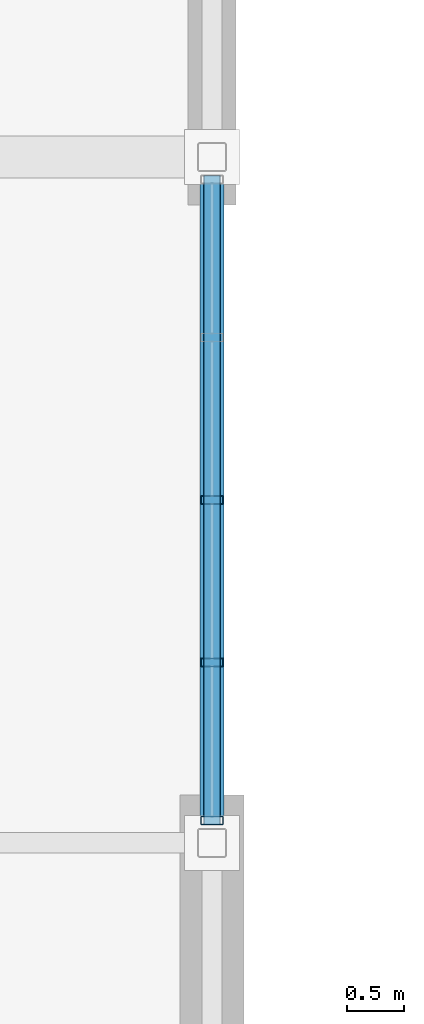
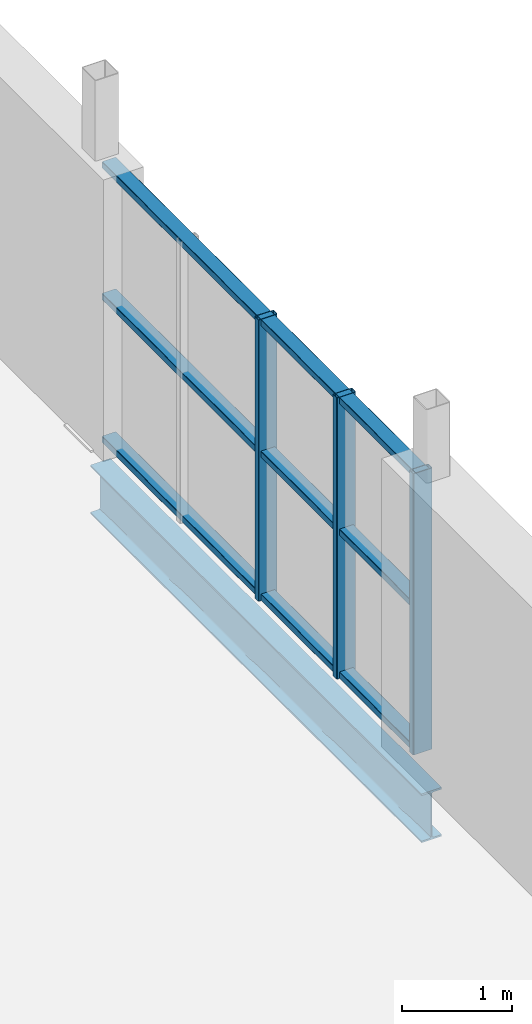
# One storey, part 27 of 96: 6 members, 1 beam, 1 element without a shape of its own.
"""IFC4 building model written with IfcOpenShell, lengths in metres."""

from ifc_helpers import new_model, si_unit, direction, frame, origin, origin_2d, place, context, subcontext, project, spatial, hollow_rectangle, i_section, extrude, material, material_profile, profile_set, type_object, element, aggregate, save


model = new_model("IFC4")

# Units and contexts
model_context = context("Model", 3, precision=1e-05, world=origin(), true_north=direction((0.0, 1.0)))
body_context = subcontext(model_context, "Body", "Model", "MODEL_VIEW")
ifc_project = project(units=[si_unit("LENGTHUNIT", "METRE"), si_unit("AREAUNIT", "SQUARE_METRE"), si_unit("VOLUMEUNIT", "CUBIC_METRE"), si_unit("PLANEANGLEUNIT", "RADIAN"), si_unit("MASSUNIT", "GRAM", prefix="KILO")], contexts=[model_context])

# Site, building, storey
site_placement = place(None, origin())
site = spatial("IfcSite", under=ifc_project, at=site_placement, CompositionType="ELEMENT")
building_placement = place(site_placement, origin())
building = spatial("IfcBuilding", under=site, at=building_placement, Name="Verrall Gate Interchange", CompositionType="ELEMENT")
storey_placement = place(building_placement, frame((0.0, 0.0, 11.39990234375)))
storey = spatial("IfcBuildingStorey", under=building, at=storey_placement, Name="L03", CompositionType="ELEMENT", Elevation=11.39990234375)

# Beam
ifc_material_1 = material(Name="Structural Steel CSA G40.21 350W", Category="steel")
ifc_material_profile_1 = material_profile(ifc_material_1, i_section(OverallWidth=0.2109375, OverallDepth=0.5390625, WebThickness=0.01171875, FlangeThickness=0.018798828125, FilletRadius=0.013916015625, at=origin_2d()), Name="W530x109")
ifc_profile_set_1 = profile_set([ifc_material_profile_1], Name="Structural Steel CSA G40.21 350W")
beam_type = type_object("IfcBeamType", Name="B-10 Structural Beam W530x109", PredefinedType="BEAM", material=ifc_profile_set_1)
beam_placement = place(storey_placement, frame((36.0, 28.0, -0.599365234375), z_axis=(0.0, 1.0, 0.0), x_axis=(-1.0, 0.0, 0.0)))
element("IfcBeam", 1, at=beam_placement, inside=storey, type_object=beam_type, Name="L03 Girder BM-L03-2263 (B-10)", PredefinedType="BEAM", context=body_context, shape_type="SweptSolid", body=[
    extrude(i_section(OverallWidth=0.2109375, OverallDepth=0.5390625, WebThickness=0.01171875, FlangeThickness=0.018798828125, FilletRadius=0.013916015625, at=origin_2d()), origin(), (0.0, 0.0, 1.0), 6.0),
])

# Curtain wall, members
ifc_material_2 = material(Name="Thermally Broken Anodized Aluminium Curtain Wall Framing", Category="aluminium")
curtain_wall_type = type_object("IfcCurtainWallType", Name="CW-31 Unitized Curtain Wall 5682x3110", PredefinedType="NOTDEFINED", material=ifc_material_2)
curtain_wall_placement = place(storey_placement, origin())
curtain_wall = element("IfcCurtainWall", 2, at=curtain_wall_placement, inside=storey, type_object=curtain_wall_type, Name="L03 Unitized Curtain Wall CW-L03-105", PredefinedType="NOTDEFINED")
ifc_material_3 = material(Name="Thermally Broken Anodized Aluminium Curtain Wall Framing", Category="aluminium")
ifc_material_profile_2 = material_profile(ifc_material_3, hollow_rectangle(XDim=0.074951171875, YDim=0.199951171875, WallThickness=0.0048828125, InnerFilletRadius=0.0048828125, OuterFilletRadius=0.010009765625, at=origin_2d()), Name="CWM200x75x5")
ifc_profile_set_2 = profile_set([ifc_material_profile_2], Name="Thermally Broken Anodized Aluminium Curtain Wall Framing")
member_type_1 = type_object("IfcMemberType", Name="CM-02 Curtain Mullion CWM200x75x5", PredefinedType="MULLION", material=ifc_profile_set_2)
member_1_placement = place(storey_placement, frame((36.0, 28.196533203125, 0.0), z_axis=(0.0, 0.0, 1.0), x_axis=(0.0, 1.0, 0.0)))
member_1 = element("IfcMember", 3, at=member_1_placement, type_object=member_type_1, Name="CW-L03-105 Mullion 1", PredefinedType="MULLION", context=body_context, shape_type="SweptSolid", body=[
    extrude(hollow_rectangle(XDim=0.074951171875, YDim=0.199951171875, WallThickness=0.0048828125, InnerFilletRadius=0.0048828125, OuterFilletRadius=0.010009765625, at=origin_2d()), origin(), (0.0, 0.0, 1.0), 3.110107421875),
])
member_2_placement = place(storey_placement, frame((36.0, 29.57958984375, 0.0), z_axis=(0.0, 0.0, 1.0), x_axis=(0.0, 1.0, 0.0)))
member_2 = element("IfcMember", 4, at=member_2_placement, type_object=member_type_1, Name="CW-L03-105 Mullion 2", PredefinedType="MULLION", context=body_context, shape_type="SweptSolid", body=[
    extrude(hollow_rectangle(XDim=0.074951171875, YDim=0.199951171875, WallThickness=0.0048828125, InnerFilletRadius=0.0048828125, OuterFilletRadius=0.010009765625, at=origin_2d()), origin(), (0.0, 0.0, 1.0), 3.110107421875),
])
member_3_placement = place(storey_placement, frame((36.0, 31.0, 0.0), z_axis=(0.0, 0.0, 1.0), x_axis=(0.0, 1.0, 0.0)))
member_3 = element("IfcMember", 5, at=member_3_placement, type_object=member_type_1, Name="CW-L03-105 Mullion 3", PredefinedType="MULLION", context=body_context, shape_type="SweptSolid", body=[
    extrude(hollow_rectangle(XDim=0.074951171875, YDim=0.199951171875, WallThickness=0.0048828125, InnerFilletRadius=0.0048828125, OuterFilletRadius=0.010009765625, at=origin_2d()), origin(), (0.0, 0.0, 1.0), 3.110107421875),
])
ifc_material_4 = material(Name="Thermally Broken Anodized Aluminium Curtain Wall Framing", Category="aluminium")
ifc_material_profile_3 = material_profile(ifc_material_4, hollow_rectangle(XDim=0.14990234375, YDim=0.074951171875, WallThickness=0.00439453125, InnerFilletRadius=0.00439453125, OuterFilletRadius=0.009033203125, at=origin_2d()), Name="CWT150x75x4.5")
ifc_profile_set_3 = profile_set([ifc_material_profile_3], Name="Thermally Broken Anodized Aluminium Curtain Wall Framing")
member_type_2 = type_object("IfcMemberType", Name="CT-02 Curtain Transom CWT150x75x4.5", PredefinedType="USERDEFINED", material=ifc_profile_set_3)
member_4_placement = place(storey_placement, frame((36.0, 28.158935546875, 0.03759765625), z_axis=(0.0, 1.0, 0.0), x_axis=(-1.0, 0.0, 0.0)))
member_4 = element("IfcMember", 6, at=member_4_placement, type_object=member_type_2, Name="CW-L03-105 Transom 1", ObjectType="TRANSOM", PredefinedType="USERDEFINED", context=body_context, shape_type="SweptSolid", body=[
    extrude(hollow_rectangle(XDim=0.14990234375, YDim=0.074951171875, WallThickness=0.00439453125, InnerFilletRadius=0.00439453125, OuterFilletRadius=0.009033203125, at=origin_2d()), origin(), (0.0, 0.0, 1.0), 5.68212890625),
])
member_5_placement = place(storey_placement, frame((36.0, 28.158935546875, 1.6171875), z_axis=(0.0, 1.0, 0.0), x_axis=(-1.0, 0.0, 0.0)))
member_5 = element("IfcMember", 7, at=member_5_placement, type_object=member_type_2, Name="CW-L03-105 Transom 2", ObjectType="TRANSOM", PredefinedType="USERDEFINED", context=body_context, shape_type="SweptSolid", body=[
    extrude(hollow_rectangle(XDim=0.14990234375, YDim=0.074951171875, WallThickness=0.00439453125, InnerFilletRadius=0.00439453125, OuterFilletRadius=0.009033203125, at=origin_2d()), origin(), (0.0, 0.0, 1.0), 5.68212890625),
])
member_6_placement = place(storey_placement, frame((36.0, 28.158935546875, 3.072509765625), z_axis=(0.0, 1.0, 0.0), x_axis=(-1.0, 0.0, 0.0)))
member_6 = element("IfcMember", 8, at=member_6_placement, type_object=member_type_2, Name="CW-L03-105 Transom 3", ObjectType="TRANSOM", PredefinedType="USERDEFINED", context=body_context, shape_type="SweptSolid", body=[
    extrude(hollow_rectangle(XDim=0.14990234375, YDim=0.074951171875, WallThickness=0.00439453125, InnerFilletRadius=0.00439453125, OuterFilletRadius=0.009033203125, at=origin_2d()), origin(), (0.0, 0.0, 1.0), 5.68212890625),
])
aggregate(curtain_wall, [member_1, member_2, member_3, member_4, member_5, member_6])

save(model, "model.ifc")
